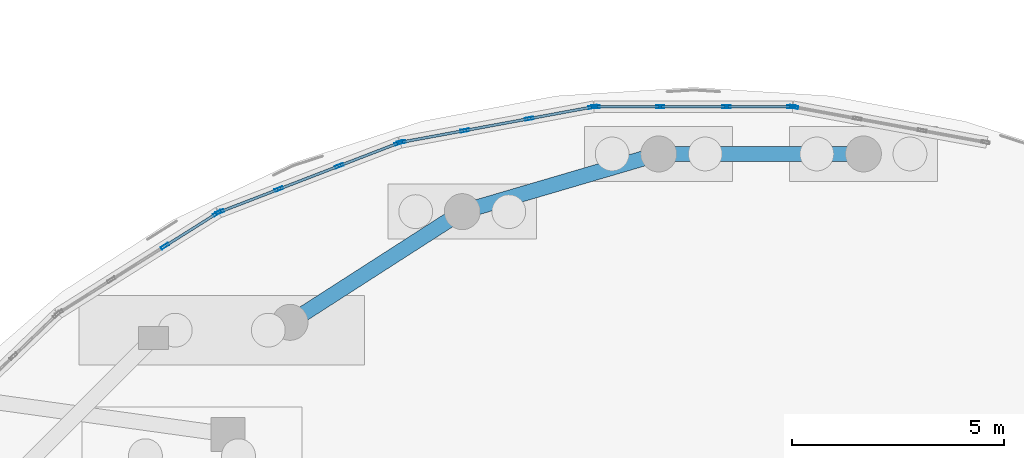
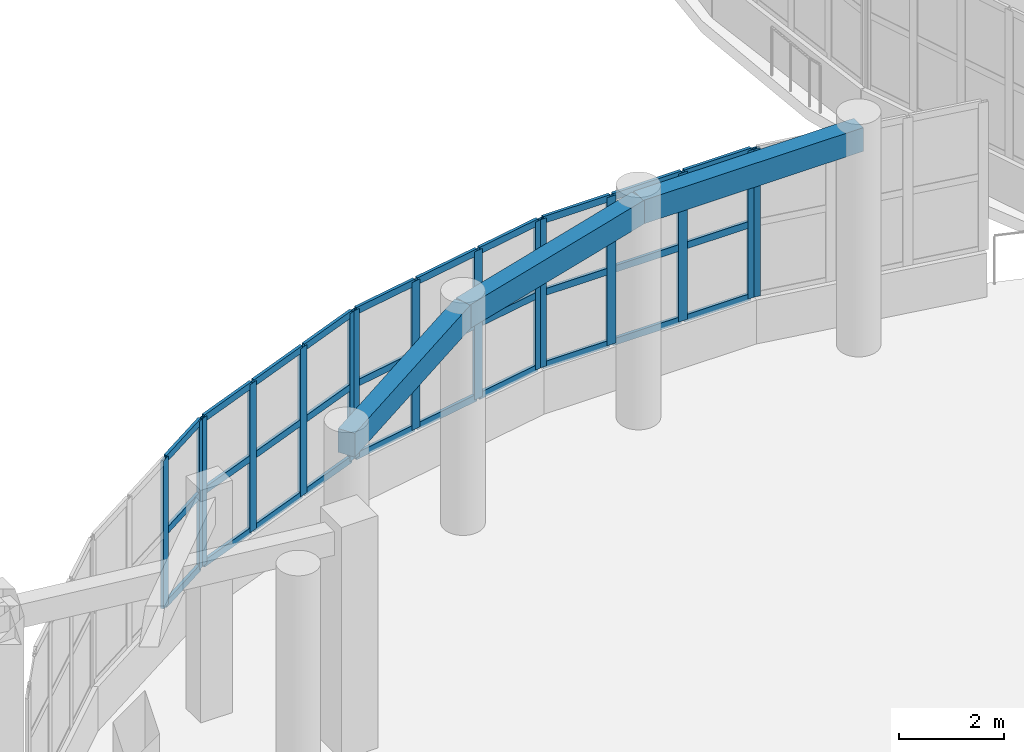
# One storey, part 37 of 96: 45 members, 3 beams, 5 elements without a shape of their own.
"""IFC4 building model written with IfcOpenShell, lengths in metres."""

from ifc_helpers import new_model, si_unit, direction, frame, origin, origin_2d, place, context, subcontext, project, spatial, rectangle, hollow_rectangle, extrude, material, layer, layer_set, material_profile, profile_set, type_object, element, aggregate, save


model = new_model("IFC4")

# Units and contexts
model_context = context("Model", 3, precision=1e-05, world=origin(), true_north=direction((0.0, 1.0)))
body_context = subcontext(model_context, "Body", "Model", "MODEL_VIEW")
ifc_project = project(units=[si_unit("LENGTHUNIT", "METRE"), si_unit("AREAUNIT", "SQUARE_METRE"), si_unit("VOLUMEUNIT", "CUBIC_METRE"), si_unit("PLANEANGLEUNIT", "RADIAN"), si_unit("MASSUNIT", "GRAM", prefix="KILO")], contexts=[model_context])

# Site, building, storey
site_placement = place(None, origin())
site = spatial("IfcSite", under=ifc_project, at=site_placement, CompositionType="ELEMENT")
building_placement = place(site_placement, origin())
building = spatial("IfcBuilding", under=site, at=building_placement, Name="Pelvatis Terrace Science Centre", CompositionType="ELEMENT")
storey_placement = place(building_placement, origin())
storey = spatial("IfcBuildingStorey", under=building, at=storey_placement, Name="L00", CompositionType="ELEMENT", Elevation=0.0)

# Beams
ifc_material_1 = material(Name="Concrete C35/45", Category="concrete")
ifc_material_profile_1 = material_profile(ifc_material_1, rectangle(XDim=0.360107421875, YDim=0.550048828125, at=origin_2d()), Name="RC-BM 360x550")
ifc_profile_set_1 = profile_set([ifc_material_profile_1], Name="Concrete C35/45")
beam_type = type_object("IfcBeamType", Name="BM-RC-360x550", PredefinedType="BEAM", material=ifc_profile_set_1)
beam_placement = place(storey_placement, frame((80.41943359375, 71.427001953125, 4.864990234375), z_axis=(-1.0, 0.0, 0.0), x_axis=(0.0, -1.0, 0.0)))
element("IfcBeam", 1, at=beam_placement, inside=storey, type_object=beam_type, Name="Beam BM-L00-2206", PredefinedType="BEAM", context=body_context, shape_type="SweptSolid", body=[
    extrude(rectangle(XDim=0.360107421875, YDim=0.550048828125, at=origin_2d()), origin(), (0.0, 0.0, 1.0), 4.8388671875),
])
for number, where, z_axis, x_axis, name in (
    (2, (75.58056640625, 71.427001953125, 4.864990234375), (-0.959487536584, -0.281751073006, 0.0), (0.281751073006, -0.959487536584, 0.0), "Beam BM-L00-2207"),
    (3, (70.93798828125, 70.063720703125, 4.864990234375), (-0.841255517216, -0.540637729681, 0.0), (0.540637729681, -0.841255517216, 0.0), "Beam BM-L00-2208"),
):
    element("IfcBeam", number, at=place(storey_placement, frame(where, z_axis=z_axis, x_axis=x_axis)), inside=storey, type_object=beam_type, Name=name, PredefinedType="BEAM", context=body_context, shape_type="SweptSolid", body=[
        extrude(rectangle(XDim=0.360107421875, YDim=0.550048828125, at=origin_2d()), origin(), (0.0, 0.0, 1.0), 4.838623046875),
    ])

# Curtain wall, member
ifc_material_2 = material(Name="Bronze-anodised aluminium and laminated glass", Category="aluminium")
ifc_layer = layer(ifc_material_2, 0.199951171875)
ifc_layer_set = layer_set([ifc_layer], Name="Bronze-anodised aluminium and laminated glass")
curtain_wall_type = type_object("IfcCurtainWallType", Name="CW-RIBBON-B", PredefinedType="NOTDEFINED", material=ifc_layer_set)
curtain_wall_1_placement = place(storey_placement, origin())
curtain_wall_1 = element("IfcCurtainWall", 4, at=curtain_wall_1_placement, inside=storey, type_object=curtain_wall_type, Name="Ribbon curtain wall CW-045 (L00)", PredefinedType="NOTDEFINED")
ifc_material_3 = material(Name="Bronze-anodised aluminium 6063-T6", Category="aluminium")
ifc_material_profile_2 = material_profile(ifc_material_3, hollow_rectangle(XDim=0.06494140625, YDim=0.199951171875, WallThickness=0.00439453125, at=origin_2d()), Name="ALU-MUL 65x200")
ifc_profile_set_2 = profile_set([ifc_material_profile_2], Name="Bronze-anodised aluminium 6063-T6")
member_type_1 = type_object("IfcMemberType", Name="CWM-65x200", PredefinedType="MULLION", material=ifc_profile_set_2)
member_1_placement = place(storey_placement, frame((78.778564453125, 72.53759765625, 1.02001953125), z_axis=(0.0, 0.0, 1.0), x_axis=(-0.181130259216, -0.983459114146, 0.0)))
member_1 = element("IfcMember", 5, at=member_1_placement, type_object=member_type_1, Name="CW-045 mullion 4", PredefinedType="MULLION", context=body_context, shape_type="SweptSolid", body=[
    extrude(hollow_rectangle(XDim=0.06494140625, YDim=0.199951171875, WallThickness=0.00439453125, at=origin_2d()), origin(), (0.0, 0.0, 1.0), 3.43994140625),
])
aggregate(curtain_wall_1, [member_1])

# Curtain wall, members
curtain_wall_2_placement = place(storey_placement, origin())
curtain_wall_2 = element("IfcCurtainWall", 6, at=curtain_wall_2_placement, inside=storey, type_object=curtain_wall_type, Name="Ribbon curtain wall CW-046 (L00)", PredefinedType="NOTDEFINED")
member_2_placement = place(storey_placement, frame((78.714111328125, 72.54345703125, 1.02001953125), z_axis=(0.0, 0.0, 1.0), x_axis=(0.0, -1.0, 0.0)))
member_2 = element("IfcMember", 7, at=member_2_placement, type_object=member_type_1, Name="CW-046 mullion 1", PredefinedType="MULLION", context=body_context, shape_type="SweptSolid", body=[
    extrude(hollow_rectangle(XDim=0.06494140625, YDim=0.199951171875, WallThickness=0.00439453125, at=origin_2d()), origin(), (0.0, 0.0, 1.0), 3.43994140625),
])
member_3_placement = place(storey_placement, frame((77.18212890625, 72.54345703125, 1.02001953125), z_axis=(0.0, 0.0, 1.0), x_axis=(0.0, -1.0, 0.0)))
member_3 = element("IfcMember", 8, at=member_3_placement, type_object=member_type_1, Name="CW-046 mullion 2", PredefinedType="MULLION", context=body_context, shape_type="SweptSolid", body=[
    extrude(hollow_rectangle(XDim=0.06494140625, YDim=0.199951171875, WallThickness=0.00439453125, at=origin_2d()), origin(), (0.0, 0.0, 1.0), 3.43994140625),
])
member_4_placement = place(storey_placement, frame((75.61767578125, 72.54345703125, 1.02001953125), z_axis=(0.0, 0.0, 1.0), x_axis=(0.0, -1.0, 0.0)))
member_4 = element("IfcMember", 9, at=member_4_placement, type_object=member_type_1, Name="CW-046 mullion 3", PredefinedType="MULLION", context=body_context, shape_type="SweptSolid", body=[
    extrude(hollow_rectangle(XDim=0.06494140625, YDim=0.199951171875, WallThickness=0.00439453125, at=origin_2d()), origin(), (0.0, 0.0, 1.0), 3.43994140625),
])
member_5_placement = place(storey_placement, frame((74.085693359375, 72.54345703125, 1.02001953125), z_axis=(0.0, 0.0, 1.0), x_axis=(0.0, -1.0, 0.0)))
member_5 = element("IfcMember", 10, at=member_5_placement, type_object=member_type_1, Name="CW-046 mullion 4", PredefinedType="MULLION", context=body_context, shape_type="SweptSolid", body=[
    extrude(hollow_rectangle(XDim=0.06494140625, YDim=0.199951171875, WallThickness=0.00439453125, at=origin_2d()), origin(), (0.0, 0.0, 1.0), 3.43994140625),
])

curtain_wall_3_placement = place(storey_placement, origin())
curtain_wall_3 = element("IfcCurtainWall", 11, at=curtain_wall_3_placement, inside=storey, type_object=curtain_wall_type, Name="Ribbon curtain wall CW-047 (L00)", PredefinedType="NOTDEFINED")
member_6_placement = place(storey_placement, frame((74.021240234375, 72.53759765625, 1.02001953125), z_axis=(0.0, 0.0, 1.0), x_axis=(0.181130259216, -0.983459114146, 0.0)))
member_6 = element("IfcMember", 12, at=member_6_placement, type_object=member_type_1, Name="CW-047 mullion 1", PredefinedType="MULLION", context=body_context, shape_type="SweptSolid", body=[
    extrude(hollow_rectangle(XDim=0.06494140625, YDim=0.199951171875, WallThickness=0.00439453125, at=origin_2d()), origin(), (0.0, 0.0, 1.0), 3.43994140625),
])
member_7_placement = place(storey_placement, frame((72.52294921875, 72.26171875, 1.02001953125), z_axis=(0.0, 0.0, 1.0), x_axis=(0.181130259216, -0.983459114146, 0.0)))
member_7 = element("IfcMember", 13, at=member_7_placement, type_object=member_type_1, Name="CW-047 mullion 2", PredefinedType="MULLION", context=body_context, shape_type="SweptSolid", body=[
    extrude(hollow_rectangle(XDim=0.06494140625, YDim=0.199951171875, WallThickness=0.00439453125, at=origin_2d()), origin(), (0.0, 0.0, 1.0), 3.43994140625),
])
member_8_placement = place(storey_placement, frame((70.992919921875, 71.979736328125, 1.02001953125), z_axis=(0.0, 0.0, 1.0), x_axis=(0.181130259216, -0.983459114146, 0.0)))
member_8 = element("IfcMember", 14, at=member_8_placement, type_object=member_type_1, Name="CW-047 mullion 3", PredefinedType="MULLION", context=body_context, shape_type="SweptSolid", body=[
    extrude(hollow_rectangle(XDim=0.06494140625, YDim=0.199951171875, WallThickness=0.00439453125, at=origin_2d()), origin(), (0.0, 0.0, 1.0), 3.43994140625),
])
member_9_placement = place(storey_placement, frame((69.49462890625, 71.703857421875, 1.02001953125), z_axis=(0.0, 0.0, 1.0), x_axis=(0.181130259216, -0.983459114146, 0.0)))
member_9 = element("IfcMember", 15, at=member_9_placement, type_object=member_type_1, Name="CW-047 mullion 4", PredefinedType="MULLION", context=body_context, shape_type="SweptSolid", body=[
    extrude(hollow_rectangle(XDim=0.06494140625, YDim=0.199951171875, WallThickness=0.00439453125, at=origin_2d()), origin(), (0.0, 0.0, 1.0), 3.43994140625),
])

curtain_wall_4_placement = place(storey_placement, origin())
curtain_wall_4 = element("IfcCurtainWall", 16, at=curtain_wall_4_placement, inside=storey, type_object=curtain_wall_type, Name="Ribbon curtain wall CW-048 (L00)", PredefinedType="NOTDEFINED")
member_10_placement = place(storey_placement, frame((69.432373046875, 71.686279296875, 1.02001953125), z_axis=(0.0, 0.0, 1.0), x_axis=(0.359874233065, -0.933000823352, 0.0)))
member_10 = element("IfcMember", 17, at=member_10_placement, type_object=member_type_1, Name="CW-048 mullion 1", PredefinedType="MULLION", context=body_context, shape_type="SweptSolid", body=[
    extrude(hollow_rectangle(XDim=0.06494140625, YDim=0.199951171875, WallThickness=0.00439453125, at=origin_2d()), origin(), (0.0, 0.0, 1.0), 3.43994140625),
])
member_11_placement = place(storey_placement, frame((68.033447265625, 71.146728515625, 1.02001953125), z_axis=(0.0, 0.0, 1.0), x_axis=(0.359874233065, -0.933000823352, 0.0)))
member_11 = element("IfcMember", 18, at=member_11_placement, type_object=member_type_1, Name="CW-048 mullion 2", PredefinedType="MULLION", context=body_context, shape_type="SweptSolid", body=[
    extrude(hollow_rectangle(XDim=0.06494140625, YDim=0.199951171875, WallThickness=0.00439453125, at=origin_2d()), origin(), (0.0, 0.0, 1.0), 3.43994140625),
])
member_12_placement = place(storey_placement, frame((66.604248046875, 70.595458984375, 1.02001953125), z_axis=(0.0, 0.0, 1.0), x_axis=(0.359874233065, -0.933000823352, 0.0)))
member_12 = element("IfcMember", 19, at=member_12_placement, type_object=member_type_1, Name="CW-048 mullion 3", PredefinedType="MULLION", context=body_context, shape_type="SweptSolid", body=[
    extrude(hollow_rectangle(XDim=0.06494140625, YDim=0.199951171875, WallThickness=0.00439453125, at=origin_2d()), origin(), (0.0, 0.0, 1.0), 3.43994140625),
])
member_13_placement = place(storey_placement, frame((65.205322265625, 70.055908203125, 1.02001953125), z_axis=(0.0, 0.0, 1.0), x_axis=(0.359874233065, -0.933000823352, 0.0)))
member_13 = element("IfcMember", 20, at=member_13_placement, type_object=member_type_1, Name="CW-048 mullion 4", PredefinedType="MULLION", context=body_context, shape_type="SweptSolid", body=[
    extrude(hollow_rectangle(XDim=0.06494140625, YDim=0.199951171875, WallThickness=0.00439453125, at=origin_2d()), origin(), (0.0, 0.0, 1.0), 3.43994140625),
])

curtain_wall_5_placement = place(storey_placement, origin())
curtain_wall_5 = element("IfcCurtainWall", 21, at=curtain_wall_5_placement, inside=storey, type_object=curtain_wall_type, Name="Ribbon curtain wall CW-049 (L00)", PredefinedType="NOTDEFINED")
member_14_placement = place(storey_placement, frame((65.1474609375, 70.02685546875, 1.02001953125), z_axis=(0.0, 0.0, 1.0), x_axis=(0.532700945499, -0.846303552317, 0.0)))
member_14 = element("IfcMember", 22, at=member_14_placement, type_object=member_type_1, Name="CW-049 mullion 1", PredefinedType="MULLION", context=body_context, shape_type="SweptSolid", body=[
    extrude(hollow_rectangle(XDim=0.06494140625, YDim=0.199951171875, WallThickness=0.00439453125, at=origin_2d()), origin(), (0.0, 0.0, 1.0), 3.43994140625),
])
member_15_placement = place(storey_placement, frame((63.909423828125, 69.24755859375, 1.02001953125), z_axis=(0.0, 0.0, 1.0), x_axis=(0.532700945499, -0.846303552317, 0.0)))
member_15 = element("IfcMember", 23, at=member_15_placement, type_object=member_type_1, Name="CW-049 mullion 2", PredefinedType="MULLION", context=body_context, shape_type="SweptSolid", body=[
    extrude(hollow_rectangle(XDim=0.06494140625, YDim=0.199951171875, WallThickness=0.00439453125, at=origin_2d()), origin(), (0.0, 0.0, 1.0), 3.43994140625),
])

# Member
ifc_material_4 = material(Name="Bronze-anodised aluminium 6063-T6", Category="aluminium")
ifc_material_profile_3 = material_profile(ifc_material_4, hollow_rectangle(XDim=0.06494140625, YDim=0.159912109375, WallThickness=0.00390625, at=origin_2d()), Name="ALU-TRN 65x160")
ifc_profile_set_3 = profile_set([ifc_material_profile_3], Name="Bronze-anodised aluminium 6063-T6")
member_type_2 = type_object("IfcMemberType", Name="CWT-65x160", PredefinedType="USERDEFINED", material=ifc_profile_set_3)
member_16_placement = place(storey_placement, frame((78.681640625, 72.54345703125, 1.052490234375), z_axis=(-1.0, 0.0, 0.0), x_axis=(0.0, -1.0, 0.0)))
member_16 = element("IfcMember", 24, at=member_16_placement, type_object=member_type_2, Name="CW-046 transom 1.1", ObjectType="TRANSOM", PredefinedType="USERDEFINED", context=body_context, shape_type="SweptSolid", body=[
    extrude(hollow_rectangle(XDim=0.06494140625, YDim=0.159912109375, WallThickness=0.00390625, at=origin_2d()), origin(), (0.0, 0.0, 1.0), 1.466796875),
])

member_17_placement = place(storey_placement, frame((78.681640625, 72.54345703125, 2.739990234375), z_axis=(-1.0, 0.0, 0.0), x_axis=(0.0, -1.0, 0.0)))
member_17 = element("IfcMember", 25, at=member_17_placement, type_object=member_type_2, Name="CW-046 transom 1.2", ObjectType="TRANSOM", PredefinedType="USERDEFINED", context=body_context, shape_type="SweptSolid", body=[
    extrude(hollow_rectangle(XDim=0.06494140625, YDim=0.159912109375, WallThickness=0.00390625, at=origin_2d()), origin(), (0.0, 0.0, 1.0), 1.466796875),
])

member_18_placement = place(storey_placement, frame((78.681640625, 72.54345703125, 4.427490234375), z_axis=(-1.0, 0.0, 0.0), x_axis=(0.0, -1.0, 0.0)))
member_18 = element("IfcMember", 26, at=member_18_placement, type_object=member_type_2, Name="CW-046 transom 1.3", ObjectType="TRANSOM", PredefinedType="USERDEFINED", context=body_context, shape_type="SweptSolid", body=[
    extrude(hollow_rectangle(XDim=0.06494140625, YDim=0.159912109375, WallThickness=0.00390625, at=origin_2d()), origin(), (0.0, 0.0, 1.0), 1.466796875),
])

member_19_placement = place(storey_placement, frame((77.149658203125, 72.54345703125, 1.052490234375), z_axis=(-1.0, 0.0, 0.0), x_axis=(0.0, -1.0, 0.0)))
member_19 = element("IfcMember", 27, at=member_19_placement, type_object=member_type_2, Name="CW-046 transom 2.1", ObjectType="TRANSOM", PredefinedType="USERDEFINED", context=body_context, shape_type="SweptSolid", body=[
    extrude(hollow_rectangle(XDim=0.06494140625, YDim=0.159912109375, WallThickness=0.00390625, at=origin_2d()), origin(), (0.0, 0.0, 1.0), 1.49951171875),
])

member_20_placement = place(storey_placement, frame((77.149658203125, 72.54345703125, 2.739990234375), z_axis=(-1.0, 0.0, 0.0), x_axis=(0.0, -1.0, 0.0)))
member_20 = element("IfcMember", 28, at=member_20_placement, type_object=member_type_2, Name="CW-046 transom 2.2", ObjectType="TRANSOM", PredefinedType="USERDEFINED", context=body_context, shape_type="SweptSolid", body=[
    extrude(hollow_rectangle(XDim=0.06494140625, YDim=0.159912109375, WallThickness=0.00390625, at=origin_2d()), origin(), (0.0, 0.0, 1.0), 1.49951171875),
])

member_21_placement = place(storey_placement, frame((77.149658203125, 72.54345703125, 4.427490234375), z_axis=(-1.0, 0.0, 0.0), x_axis=(0.0, -1.0, 0.0)))
member_21 = element("IfcMember", 29, at=member_21_placement, type_object=member_type_2, Name="CW-046 transom 2.3", ObjectType="TRANSOM", PredefinedType="USERDEFINED", context=body_context, shape_type="SweptSolid", body=[
    extrude(hollow_rectangle(XDim=0.06494140625, YDim=0.159912109375, WallThickness=0.00390625, at=origin_2d()), origin(), (0.0, 0.0, 1.0), 1.49951171875),
])

member_22_placement = place(storey_placement, frame((75.585205078125, 72.54345703125, 1.052490234375), z_axis=(-1.0, 0.0, 0.0), x_axis=(0.0, -1.0, 0.0)))
member_22 = element("IfcMember", 30, at=member_22_placement, type_object=member_type_2, Name="CW-046 transom 3.1", ObjectType="TRANSOM", PredefinedType="USERDEFINED", context=body_context, shape_type="SweptSolid", body=[
    extrude(hollow_rectangle(XDim=0.06494140625, YDim=0.159912109375, WallThickness=0.00390625, at=origin_2d()), origin(), (0.0, 0.0, 1.0), 1.466796875),
])

member_23_placement = place(storey_placement, frame((75.585205078125, 72.54345703125, 2.739990234375), z_axis=(-1.0, 0.0, 0.0), x_axis=(0.0, -1.0, 0.0)))
member_23 = element("IfcMember", 31, at=member_23_placement, type_object=member_type_2, Name="CW-046 transom 3.2", ObjectType="TRANSOM", PredefinedType="USERDEFINED", context=body_context, shape_type="SweptSolid", body=[
    extrude(hollow_rectangle(XDim=0.06494140625, YDim=0.159912109375, WallThickness=0.00390625, at=origin_2d()), origin(), (0.0, 0.0, 1.0), 1.466796875),
])

member_24_placement = place(storey_placement, frame((75.585205078125, 72.54345703125, 4.427490234375), z_axis=(-1.0, 0.0, 0.0), x_axis=(0.0, -1.0, 0.0)))
member_24 = element("IfcMember", 32, at=member_24_placement, type_object=member_type_2, Name="CW-046 transom 3.3", ObjectType="TRANSOM", PredefinedType="USERDEFINED", context=body_context, shape_type="SweptSolid", body=[
    extrude(hollow_rectangle(XDim=0.06494140625, YDim=0.159912109375, WallThickness=0.00390625, at=origin_2d()), origin(), (0.0, 0.0, 1.0), 1.466796875),
])

aggregate(curtain_wall_2, [member_2, member_3, member_4, member_5, member_16, member_17, member_18, member_19, member_20, member_21, member_22, member_23, member_24])

member_25_placement = place(storey_placement, frame((73.9892578125, 72.53173828125, 1.052490234375), z_axis=(-0.9834602515, -0.181124083766, 0.0), x_axis=(0.181124083766, -0.9834602515, 0.0)))
member_25 = element("IfcMember", 33, at=member_25_placement, type_object=member_type_2, Name="CW-047 transom 1.1", ObjectType="TRANSOM", PredefinedType="USERDEFINED", context=body_context, shape_type="SweptSolid", body=[
    extrude(hollow_rectangle(XDim=0.06494140625, YDim=0.159912109375, WallThickness=0.00390625, at=origin_2d()), origin(), (0.0, 0.0, 1.0), 1.45849609375),
])

member_26_placement = place(storey_placement, frame((73.9892578125, 72.53173828125, 2.739990234375), z_axis=(-0.9834602515, -0.181124083766, 0.0), x_axis=(0.181124083766, -0.9834602515, 0.0)))
member_26 = element("IfcMember", 34, at=member_26_placement, type_object=member_type_2, Name="CW-047 transom 1.2", ObjectType="TRANSOM", PredefinedType="USERDEFINED", context=body_context, shape_type="SweptSolid", body=[
    extrude(hollow_rectangle(XDim=0.06494140625, YDim=0.159912109375, WallThickness=0.00390625, at=origin_2d()), origin(), (0.0, 0.0, 1.0), 1.45849609375),
])

member_27_placement = place(storey_placement, frame((73.9892578125, 72.53173828125, 4.427490234375), z_axis=(-0.9834602515, -0.181124083766, 0.0), x_axis=(0.181124083766, -0.9834602515, 0.0)))
member_27 = element("IfcMember", 35, at=member_27_placement, type_object=member_type_2, Name="CW-047 transom 1.3", ObjectType="TRANSOM", PredefinedType="USERDEFINED", context=body_context, shape_type="SweptSolid", body=[
    extrude(hollow_rectangle(XDim=0.06494140625, YDim=0.159912109375, WallThickness=0.00390625, at=origin_2d()), origin(), (0.0, 0.0, 1.0), 1.45849609375),
])

member_28_placement = place(storey_placement, frame((72.4912109375, 72.255859375, 1.052490234375), z_axis=(-0.983463935148, -0.181104081298, 0.0), x_axis=(0.181104081298, -0.983463935148, 0.0)))
member_28 = element("IfcMember", 36, at=member_28_placement, type_object=member_type_2, Name="CW-047 transom 2.1", ObjectType="TRANSOM", PredefinedType="USERDEFINED", context=body_context, shape_type="SweptSolid", body=[
    extrude(hollow_rectangle(XDim=0.06494140625, YDim=0.159912109375, WallThickness=0.00390625, at=origin_2d()), origin(), (0.0, 0.0, 1.0), 1.490966796875),
])

member_29_placement = place(storey_placement, frame((72.4912109375, 72.255859375, 2.739990234375), z_axis=(-0.983463935148, -0.181104081298, 0.0), x_axis=(0.181104081298, -0.983463935148, 0.0)))
member_29 = element("IfcMember", 37, at=member_29_placement, type_object=member_type_2, Name="CW-047 transom 2.2", ObjectType="TRANSOM", PredefinedType="USERDEFINED", context=body_context, shape_type="SweptSolid", body=[
    extrude(hollow_rectangle(XDim=0.06494140625, YDim=0.159912109375, WallThickness=0.00390625, at=origin_2d()), origin(), (0.0, 0.0, 1.0), 1.490966796875),
])

member_30_placement = place(storey_placement, frame((72.4912109375, 72.255859375, 4.427490234375), z_axis=(-0.983463935148, -0.181104081298, 0.0), x_axis=(0.181104081298, -0.983463935148, 0.0)))
member_30 = element("IfcMember", 38, at=member_30_placement, type_object=member_type_2, Name="CW-047 transom 2.3", ObjectType="TRANSOM", PredefinedType="USERDEFINED", context=body_context, shape_type="SweptSolid", body=[
    extrude(hollow_rectangle(XDim=0.06494140625, YDim=0.159912109375, WallThickness=0.00390625, at=origin_2d()), origin(), (0.0, 0.0, 1.0), 1.490966796875),
])

member_31_placement = place(storey_placement, frame((70.9609375, 71.973876953125, 1.052490234375), z_axis=(-0.9834602515, -0.181124083766, 0.0), x_axis=(0.181124083766, -0.9834602515, 0.0)))
member_31 = element("IfcMember", 39, at=member_31_placement, type_object=member_type_2, Name="CW-047 transom 3.1", ObjectType="TRANSOM", PredefinedType="USERDEFINED", context=body_context, shape_type="SweptSolid", body=[
    extrude(hollow_rectangle(XDim=0.06494140625, YDim=0.159912109375, WallThickness=0.00390625, at=origin_2d()), origin(), (0.0, 0.0, 1.0), 1.45849609375),
])

member_32_placement = place(storey_placement, frame((70.9609375, 71.973876953125, 2.739990234375), z_axis=(-0.9834602515, -0.181124083766, 0.0), x_axis=(0.181124083766, -0.9834602515, 0.0)))
member_32 = element("IfcMember", 40, at=member_32_placement, type_object=member_type_2, Name="CW-047 transom 3.2", ObjectType="TRANSOM", PredefinedType="USERDEFINED", context=body_context, shape_type="SweptSolid", body=[
    extrude(hollow_rectangle(XDim=0.06494140625, YDim=0.159912109375, WallThickness=0.00390625, at=origin_2d()), origin(), (0.0, 0.0, 1.0), 1.45849609375),
])

member_33_placement = place(storey_placement, frame((70.9609375, 71.973876953125, 4.427490234375), z_axis=(-0.9834602515, -0.181124083766, 0.0), x_axis=(0.181124083766, -0.9834602515, 0.0)))
member_33 = element("IfcMember", 41, at=member_33_placement, type_object=member_type_2, Name="CW-047 transom 3.3", ObjectType="TRANSOM", PredefinedType="USERDEFINED", context=body_context, shape_type="SweptSolid", body=[
    extrude(hollow_rectangle(XDim=0.06494140625, YDim=0.159912109375, WallThickness=0.00390625, at=origin_2d()), origin(), (0.0, 0.0, 1.0), 1.45849609375),
])

aggregate(curtain_wall_3, [member_6, member_7, member_8, member_9, member_25, member_26, member_27, member_28, member_29, member_30, member_31, member_32, member_33])

member_34_placement = place(storey_placement, frame((69.40185546875, 71.674560546875, 1.052490234375), z_axis=(-0.933007373768, -0.359857250163, 0.0), x_axis=(0.359857250163, -0.933007373768, 0.0)))
member_34 = element("IfcMember", 42, at=member_34_placement, type_object=member_type_2, Name="CW-048 transom 1.1", ObjectType="TRANSOM", PredefinedType="USERDEFINED", context=body_context, shape_type="SweptSolid", body=[
    extrude(hollow_rectangle(XDim=0.06494140625, YDim=0.159912109375, WallThickness=0.00390625, at=origin_2d()), origin(), (0.0, 0.0, 1.0), 1.434326171875),
])

member_35_placement = place(storey_placement, frame((69.40185546875, 71.674560546875, 2.739990234375), z_axis=(-0.933007373768, -0.359857250163, 0.0), x_axis=(0.359857250163, -0.933007373768, 0.0)))
member_35 = element("IfcMember", 43, at=member_35_placement, type_object=member_type_2, Name="CW-048 transom 1.2", ObjectType="TRANSOM", PredefinedType="USERDEFINED", context=body_context, shape_type="SweptSolid", body=[
    extrude(hollow_rectangle(XDim=0.06494140625, YDim=0.159912109375, WallThickness=0.00390625, at=origin_2d()), origin(), (0.0, 0.0, 1.0), 1.434326171875),
])

member_36_placement = place(storey_placement, frame((69.40185546875, 71.674560546875, 4.427490234375), z_axis=(-0.933007373768, -0.359857250163, 0.0), x_axis=(0.359857250163, -0.933007373768, 0.0)))
member_36 = element("IfcMember", 44, at=member_36_placement, type_object=member_type_2, Name="CW-048 transom 1.3", ObjectType="TRANSOM", PredefinedType="USERDEFINED", context=body_context, shape_type="SweptSolid", body=[
    extrude(hollow_rectangle(XDim=0.06494140625, YDim=0.159912109375, WallThickness=0.00390625, at=origin_2d()), origin(), (0.0, 0.0, 1.0), 1.434326171875),
])

member_37_placement = place(storey_placement, frame((68.003173828125, 71.135009765625, 1.052490234375), z_axis=(-0.93301922001, -0.359826534724, 0.0), x_axis=(0.359826534724, -0.93301922001, 0.0)))
member_37 = element("IfcMember", 45, at=member_37_placement, type_object=member_type_2, Name="CW-048 transom 2.1", ObjectType="TRANSOM", PredefinedType="USERDEFINED", context=body_context, shape_type="SweptSolid", body=[
    extrude(hollow_rectangle(XDim=0.06494140625, YDim=0.159912109375, WallThickness=0.00390625, at=origin_2d()), origin(), (0.0, 0.0, 1.0), 1.466796875),
])

member_38_placement = place(storey_placement, frame((68.003173828125, 71.135009765625, 2.739990234375), z_axis=(-0.93301922001, -0.359826534724, 0.0), x_axis=(0.359826534724, -0.93301922001, 0.0)))
member_38 = element("IfcMember", 46, at=member_38_placement, type_object=member_type_2, Name="CW-048 transom 2.2", ObjectType="TRANSOM", PredefinedType="USERDEFINED", context=body_context, shape_type="SweptSolid", body=[
    extrude(hollow_rectangle(XDim=0.06494140625, YDim=0.159912109375, WallThickness=0.00390625, at=origin_2d()), origin(), (0.0, 0.0, 1.0), 1.466796875),
])

member_39_placement = place(storey_placement, frame((68.003173828125, 71.135009765625, 4.427490234375), z_axis=(-0.93301922001, -0.359826534724, 0.0), x_axis=(0.359826534724, -0.93301922001, 0.0)))
member_39 = element("IfcMember", 47, at=member_39_placement, type_object=member_type_2, Name="CW-048 transom 2.3", ObjectType="TRANSOM", PredefinedType="USERDEFINED", context=body_context, shape_type="SweptSolid", body=[
    extrude(hollow_rectangle(XDim=0.06494140625, YDim=0.159912109375, WallThickness=0.00390625, at=origin_2d()), origin(), (0.0, 0.0, 1.0), 1.466796875),
])

member_40_placement = place(storey_placement, frame((66.573974609375, 70.583740234375, 1.052490234375), z_axis=(-0.933029412283, -0.359800105357, 0.0), x_axis=(0.359800105357, -0.933029412283, 0.0)))
member_40 = element("IfcMember", 48, at=member_40_placement, type_object=member_type_2, Name="CW-048 transom 3.1", ObjectType="TRANSOM", PredefinedType="USERDEFINED", context=body_context, shape_type="SweptSolid", body=[
    extrude(hollow_rectangle(XDim=0.06494140625, YDim=0.159912109375, WallThickness=0.00390625, at=origin_2d()), origin(), (0.0, 0.0, 1.0), 1.434326171875),
])

member_41_placement = place(storey_placement, frame((66.573974609375, 70.583740234375, 2.739990234375), z_axis=(-0.933029412283, -0.359800105357, 0.0), x_axis=(0.359800105357, -0.933029412283, 0.0)))
member_41 = element("IfcMember", 49, at=member_41_placement, type_object=member_type_2, Name="CW-048 transom 3.2", ObjectType="TRANSOM", PredefinedType="USERDEFINED", context=body_context, shape_type="SweptSolid", body=[
    extrude(hollow_rectangle(XDim=0.06494140625, YDim=0.159912109375, WallThickness=0.00390625, at=origin_2d()), origin(), (0.0, 0.0, 1.0), 1.434326171875),
])

member_42_placement = place(storey_placement, frame((66.573974609375, 70.583740234375, 4.427490234375), z_axis=(-0.933029412283, -0.359800105357, 0.0), x_axis=(0.359800105357, -0.933029412283, 0.0)))
member_42 = element("IfcMember", 50, at=member_42_placement, type_object=member_type_2, Name="CW-048 transom 3.3", ObjectType="TRANSOM", PredefinedType="USERDEFINED", context=body_context, shape_type="SweptSolid", body=[
    extrude(hollow_rectangle(XDim=0.06494140625, YDim=0.159912109375, WallThickness=0.00390625, at=origin_2d()), origin(), (0.0, 0.0, 1.0), 1.434326171875),
])

aggregate(curtain_wall_4, [member_10, member_11, member_12, member_13, member_34, member_35, member_36, member_37, member_38, member_39, member_40, member_41, member_42])

member_43_placement = place(storey_placement, frame((65.119873046875, 70.009521484375, 1.052490234375), z_axis=(-0.846326153715, -0.532665036903, 0.0), x_axis=(0.532665036903, -0.846326153715, 0.0)))
member_43 = element("IfcMember", 51, at=member_43_placement, type_object=member_type_2, Name="CW-049 transom 1.1", ObjectType="TRANSOM", PredefinedType="USERDEFINED", context=body_context, shape_type="SweptSolid", body=[
    extrude(hollow_rectangle(XDim=0.06494140625, YDim=0.159912109375, WallThickness=0.00390625, at=origin_2d()), origin(), (0.0, 0.0, 1.0), 1.39794921875),
])

member_44_placement = place(storey_placement, frame((65.119873046875, 70.009521484375, 2.739990234375), z_axis=(-0.846326153715, -0.532665036903, 0.0), x_axis=(0.532665036903, -0.846326153715, 0.0)))
member_44 = element("IfcMember", 52, at=member_44_placement, type_object=member_type_2, Name="CW-049 transom 1.2", ObjectType="TRANSOM", PredefinedType="USERDEFINED", context=body_context, shape_type="SweptSolid", body=[
    extrude(hollow_rectangle(XDim=0.06494140625, YDim=0.159912109375, WallThickness=0.00390625, at=origin_2d()), origin(), (0.0, 0.0, 1.0), 1.39794921875),
])

member_45_placement = place(storey_placement, frame((65.119873046875, 70.009521484375, 4.427490234375), z_axis=(-0.846326153715, -0.532665036903, 0.0), x_axis=(0.532665036903, -0.846326153715, 0.0)))
member_45 = element("IfcMember", 53, at=member_45_placement, type_object=member_type_2, Name="CW-049 transom 1.3", ObjectType="TRANSOM", PredefinedType="USERDEFINED", context=body_context, shape_type="SweptSolid", body=[
    extrude(hollow_rectangle(XDim=0.06494140625, YDim=0.159912109375, WallThickness=0.00390625, at=origin_2d()), origin(), (0.0, 0.0, 1.0), 1.39794921875),
])

aggregate(curtain_wall_5, [member_14, member_15, member_43, member_44, member_45])

save(model, "model.ifc")
